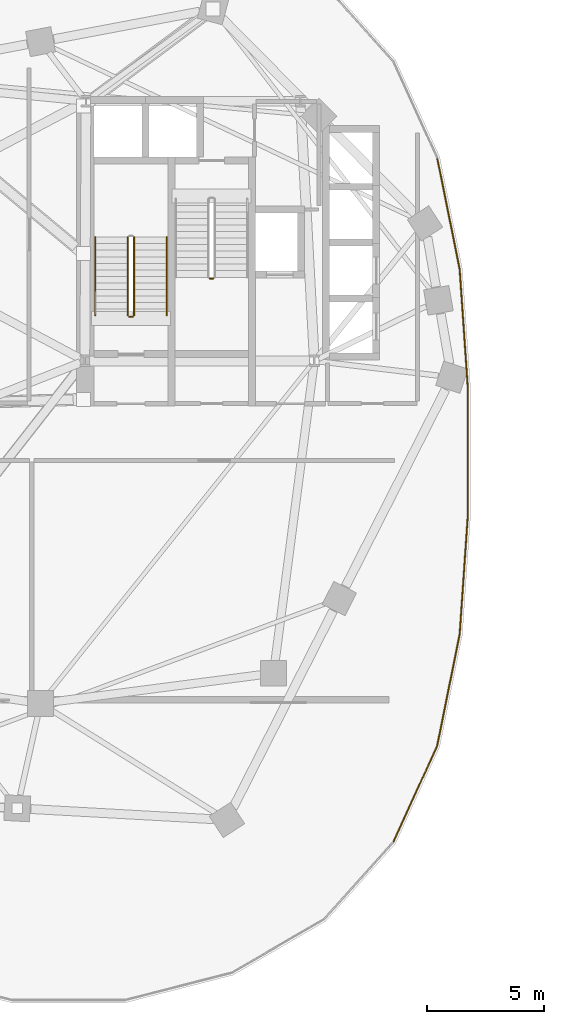
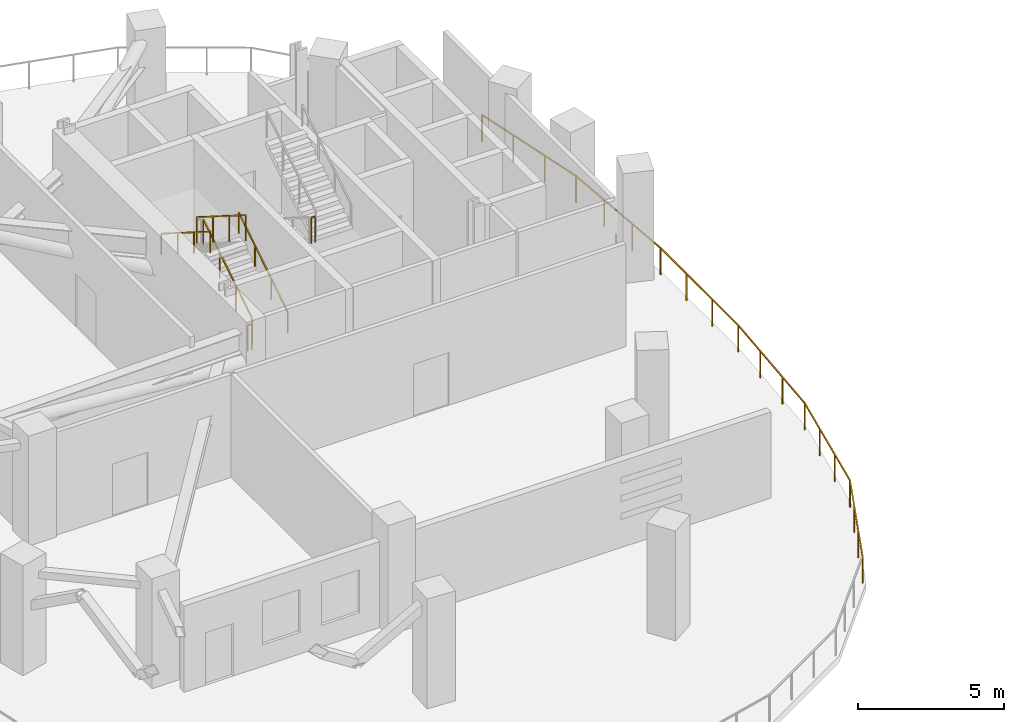
# One storey, part 9 of 13: 9 railings.
"""IFC4 building model written with IfcOpenShell, lengths in metres."""

from ifc_helpers import new_model, si_unit, direction, frame, origin, origin_2d, place, context, subcontext, project, spatial, rectangle, extrude, material, type_object, element, save


model = new_model("IFC4")

# Units and contexts
model_context = context("Model", 3, precision=1e-05, world=origin(), true_north=direction((0.0, 1.0)))
body_context = subcontext(model_context, "Body", "Model", "MODEL_VIEW")
ifc_project = project(units=[si_unit("LENGTHUNIT", "METRE"), si_unit("AREAUNIT", "SQUARE_METRE"), si_unit("VOLUMEUNIT", "CUBIC_METRE"), si_unit("PLANEANGLEUNIT", "RADIAN"), si_unit("MASSUNIT", "GRAM", prefix="KILO"), si_unit("THERMODYNAMICTEMPERATUREUNIT", "KELVIN"), si_unit("POWERUNIT", "WATT")], contexts=[model_context])

# Site, building, storey
site_placement = place(None, origin())
site = spatial("IfcSite", under=ifc_project, at=site_placement, CompositionType="ELEMENT")
building_placement = place(site_placement, origin())
building = spatial("IfcBuilding", under=site, at=building_placement, Name="Cundina Bronze Exchange", CompositionType="ELEMENT")
storey_placement = place(building_placement, frame((0.0, 0.0, 77.199951171875)))
storey = spatial("IfcBuildingStorey", under=building, at=storey_placement, Name="L19", CompositionType="ELEMENT", Elevation=77.199951171875)

# Railings
ifc_material_1 = material(Name="Anodised Bronze Aluminium 6063-T6", Category="aluminium")
railing_type_1 = type_object("IfcRailingType", Name="RLG-GRD-1150", PredefinedType="GUARDRAIL", material=ifc_material_1)
railing_1_placement = place(storey_placement, frame((-14.85791015625, 2.660888671875, 0.0)))
element("IfcRailing", 1, at=railing_1_placement, inside=storey, type_object=railing_type_1, Name="L19 Perimeter Safety Guardrail 01", PredefinedType="GUARDRAIL", context=body_context, shape_type="SweptSolid", body=[
    extrude(rectangle(XDim=0.048095703125, YDim=0.048095703125, at=origin_2d()), frame((0.0, 0.0, 1.1259765625), z_axis=(0.0, -1.0, 0.0), x_axis=(1.0, 0.0, 0.0)), (0.0, 0.0, 1.0), 5.32177734375),
    extrude(rectangle(XDim=0.048095703125, YDim=0.048095703125, at=origin_2d()), frame((0.0, -5.32177734375, 1.1259765625), z_axis=(-0.068548934488, -0.997647755263, 0.0), x_axis=(0.997647755263, -0.068548934488, 0.0)), (0.0, 0.0, 1.0), 5.1962890625),
    extrude(rectangle(XDim=0.0419921875, YDim=0.0419921875, at=origin_2d()), origin(), (0.0, 0.0, 1.0), 1.101806640625),
    extrude(rectangle(XDim=0.0419921875, YDim=0.0419921875, at=origin_2d()), frame((0.0, -1.77392578125, 0.0)), (0.0, 0.0, 1.0), 1.101806640625),
    extrude(rectangle(XDim=0.0419921875, YDim=0.0419921875, at=origin_2d()), frame((0.0, -3.5478515625, 0.0)), (0.0, 0.0, 1.0), 1.101806640625),
    extrude(rectangle(XDim=0.0419921875, YDim=0.0419921875, at=origin_2d()), frame((0.0, -5.32177734375, 0.0)), (0.0, 0.0, 1.0), 1.101806640625),
    extrude(rectangle(XDim=0.0419921875, YDim=0.0419921875, at=origin_2d()), frame((-0.11865234375, -7.0498046875, 0.0)), (0.0, 0.0, 1.0), 1.101806640625),
    extrude(rectangle(XDim=0.0419921875, YDim=0.0419921875, at=origin_2d()), frame((-0.237548828125, -8.77783203125, 0.0)), (0.0, 0.0, 1.0), 1.101806640625),
    extrude(rectangle(XDim=0.0419921875, YDim=0.0419921875, at=origin_2d()), frame((-0.356201171875, -10.505859375, 0.0)), (0.0, 0.0, 1.0), 1.101806640625),
])
railing_2_placement = place(storey_placement, frame((-15.214111328125, -7.844970703125, 0.0)))
element("IfcRailing", 2, at=railing_2_placement, inside=storey, type_object=railing_type_1, Name="L19 Perimeter Safety Guardrail 02", PredefinedType="GUARDRAIL", context=body_context, shape_type="SweptSolid", body=[
    extrude(rectangle(XDim=0.048095703125, YDim=0.048095703125, at=origin_2d()), frame((0.0, 0.0, 1.1259765625), z_axis=(-0.198060616224, -0.980189773616, 0.0), x_axis=(0.980189773616, -0.198060616224, 0.0)), (0.0, 0.0, 1.0), 4.87646484375),
    extrude(rectangle(XDim=0.048095703125, YDim=0.048095703125, at=origin_2d()), frame((-0.9658203125, -4.77978515625, 1.1259765625), z_axis=(-0.415419797692, -0.909629810244, 0.0), x_axis=(0.909629810244, -0.415419797692, 0.0)), (0.0, 0.0, 1.0), 4.548828125),
    extrude(rectangle(XDim=0.0419921875, YDim=0.0419921875, at=origin_2d()), origin(), (0.0, 0.0, 1.0), 1.101806640625),
    extrude(rectangle(XDim=0.0419921875, YDim=0.0419921875, at=origin_2d()), frame((-0.322021484375, -1.59326171875, 0.0)), (0.0, 0.0, 1.0), 1.101806640625),
    extrude(rectangle(XDim=0.0419921875, YDim=0.0419921875, at=origin_2d()), frame((-0.643798828125, -3.1865234375, 0.0)), (0.0, 0.0, 1.0), 1.101806640625),
    extrude(rectangle(XDim=0.0419921875, YDim=0.0419921875, at=origin_2d()), frame((-0.9658203125, -4.77978515625, 0.0)), (0.0, 0.0, 1.0), 1.101806640625),
    extrude(rectangle(XDim=0.0419921875, YDim=0.0419921875, at=origin_2d()), frame((-1.595703125, -6.158935546875, 0.0)), (0.0, 0.0, 1.0), 1.101806640625),
    extrude(rectangle(XDim=0.0419921875, YDim=0.0419921875, at=origin_2d()), frame((-2.2255859375, -7.538330078125, 0.0)), (0.0, 0.0, 1.0), 1.101806640625),
    extrude(rectangle(XDim=0.0419921875, YDim=0.0419921875, at=origin_2d()), frame((-2.85546875, -8.91748046875, 0.0)), (0.0, 0.0, 1.0), 1.101806640625),
])
railing_3_placement = place(storey_placement, frame((-16.179931640625, 12.624755859375, 0.0)))
element("IfcRailing", 3, at=railing_3_placement, inside=storey, type_object=railing_type_1, Name="L19 Perimeter Safety Guardrail 14", PredefinedType="GUARDRAIL", context=body_context, shape_type="SweptSolid", body=[
    extrude(rectangle(XDim=0.048095703125, YDim=0.048095703125, at=origin_2d()), frame((0.0, 0.0, 1.1259765625), z_axis=(0.198060616224, -0.980189773616, 0.0), x_axis=(0.980189773616, 0.198060616224, 0.0)), (0.0, 0.0, 1.0), 4.87646484375),
    extrude(rectangle(XDim=0.048095703125, YDim=0.048095703125, at=origin_2d()), frame((0.9658203125, -4.77978515625, 1.1259765625), z_axis=(0.068548934488, -0.997647755263, 0.0), x_axis=(0.997647755263, 0.068548934488, 0.0)), (0.0, 0.0, 1.0), 5.1962890625),
    extrude(rectangle(XDim=0.0419921875, YDim=0.0419921875, at=origin_2d()), origin(), (0.0, 0.0, 1.0), 1.101806640625),
    extrude(rectangle(XDim=0.0419921875, YDim=0.0419921875, at=origin_2d()), frame((0.322021484375, -1.59326171875, 0.0)), (0.0, 0.0, 1.0), 1.101806640625),
    extrude(rectangle(XDim=0.0419921875, YDim=0.0419921875, at=origin_2d()), frame((0.643798828125, -3.1865234375, 0.0)), (0.0, 0.0, 1.0), 1.101806640625),
    extrude(rectangle(XDim=0.0419921875, YDim=0.0419921875, at=origin_2d()), frame((0.9658203125, -4.77978515625, 0.0)), (0.0, 0.0, 1.0), 1.101806640625),
    extrude(rectangle(XDim=0.0419921875, YDim=0.0419921875, at=origin_2d()), frame((1.08447265625, -6.5078125, 0.0)), (0.0, 0.0, 1.0), 1.101806640625),
    extrude(rectangle(XDim=0.0419921875, YDim=0.0419921875, at=origin_2d()), frame((1.203369140625, -8.23583984375, 0.0)), (0.0, 0.0, 1.0), 1.101806640625),
    extrude(rectangle(XDim=0.0419921875, YDim=0.0419921875, at=origin_2d()), frame((1.322021484375, -9.9638671875, 0.0)), (0.0, 0.0, 1.0), 1.101806640625),
])
ifc_material_2 = material(Name="Steel ASTM A36 Painted", Category="steel")
railing_type_2 = type_object("IfcRailingType", Name="RLG-HND-900", PredefinedType="HANDRAIL", material=ifc_material_2)
railing_4_placement = place(storey_placement, frame((-27.7900390625, 5.85009765625, 0.177001953125)))
element("IfcRailing", 4, at=railing_4_placement, inside=storey, type_object=railing_type_2, Name="L19 ST-W1 stair handrail 1", PredefinedType="HANDRAIL", context=body_context, shape_type="SweptSolid", body=[
    extrude(rectangle(XDim=0.048095703125, YDim=0.048095703125, at=origin_2d()), frame((0.0, 0.0, 0.8759765625), z_axis=(0.0, 0.845372108799, 0.534177870812), x_axis=(-1.0, 0.0, 0.0)), (0.0, 0.0, 1.0), 3.974365234375),
    extrude(rectangle(XDim=0.0419921875, YDim=0.0419921875, at=origin_2d()), origin(), (0.0, 0.0, 1.0), 0.851806640625),
    extrude(rectangle(XDim=0.0419921875, YDim=0.0419921875, at=origin_2d()), frame((0.0, 1.119873046875, 0.707763671875)), (0.0, 0.0, 1.0), 0.851806640625),
    extrude(rectangle(XDim=0.0419921875, YDim=0.0419921875, at=origin_2d()), frame((0.0, 2.239990234375, 1.415283203125)), (0.0, 0.0, 1.0), 0.851806640625),
    extrude(rectangle(XDim=0.0419921875, YDim=0.0419921875, at=origin_2d()), frame((0.0, 3.35986328125, 2.123046875)), (0.0, 0.0, 1.0), 0.851806640625),
])
railing_5_placement = place(storey_placement, frame((-30.85009765625, 9.2099609375, 2.47705078125)))
element("IfcRailing", 5, at=railing_5_placement, inside=storey, type_object=railing_type_2, Name="L19 ST-W1 stair handrail 2", PredefinedType="HANDRAIL", context=body_context, shape_type="SweptSolid", body=[
    extrude(rectangle(XDim=0.048095703125, YDim=0.048095703125, at=origin_2d()), frame((0.0, 0.0, 0.8759765625), z_axis=(0.0, -0.845372108799, 0.534177870812), x_axis=(1.0, 0.0, 0.0)), (0.0, 0.0, 1.0), 3.974365234375),
    extrude(rectangle(XDim=0.0419921875, YDim=0.0419921875, at=origin_2d()), origin(), (0.0, 0.0, 1.0), 0.851806640625),
    extrude(rectangle(XDim=0.0419921875, YDim=0.0419921875, at=origin_2d()), frame((0.0, -1.119873046875, 0.707763671875)), (0.0, 0.0, 1.0), 0.851806640625),
    extrude(rectangle(XDim=0.0419921875, YDim=0.0419921875, at=origin_2d()), frame((0.0, -2.239990234375, 1.415283203125)), (0.0, 0.0, 1.0), 0.851806640625),
    extrude(rectangle(XDim=0.0419921875, YDim=0.0419921875, at=origin_2d()), frame((0.0, -3.35986328125, 2.123046875)), (0.0, 0.0, 1.0), 0.851806640625),
])
railing_type_3 = type_object("IfcRailingType", Name="RLG-STG-1100", PredefinedType="GUARDRAIL", material=ifc_material_2)
railing_6_placement = place(storey_placement, frame((-29.18994140625, 5.85009765625, 0.177001953125)))
element("IfcRailing", 6, at=railing_6_placement, inside=storey, type_object=railing_type_3, Name="L19 ST-W1 stair guard 1", PredefinedType="GUARDRAIL", context=body_context, shape_type="SweptSolid", body=[
    extrude(rectangle(XDim=0.048095703125, YDim=0.048095703125, at=origin_2d()), frame((0.0, 0.0, 1.076171875), z_axis=(0.0, 0.845372108799, 0.534177870812), x_axis=(-1.0, 0.0, 0.0)), (0.0, 0.0, 1.0), 3.974365234375),
    extrude(rectangle(XDim=0.0419921875, YDim=0.0419921875, at=origin_2d()), origin(), (0.0, 0.0, 1.0), 1.052001953125),
    extrude(rectangle(XDim=0.0419921875, YDim=0.0419921875, at=origin_2d()), frame((0.0, 1.119873046875, 0.707763671875)), (0.0, 0.0, 1.0), 1.052001953125),
    extrude(rectangle(XDim=0.0419921875, YDim=0.0419921875, at=origin_2d()), frame((0.0, 2.239990234375, 1.415283203125)), (0.0, 0.0, 1.0), 1.052001953125),
    extrude(rectangle(XDim=0.0419921875, YDim=0.0419921875, at=origin_2d()), frame((0.0, 3.35986328125, 2.123046875)), (0.0, 0.0, 1.0), 1.052001953125),
])
railing_7_placement = place(storey_placement, frame((-29.449951171875, 9.2099609375, 2.47705078125)))
element("IfcRailing", 7, at=railing_7_placement, inside=storey, type_object=railing_type_3, Name="L19 ST-W1 stair guard 3", PredefinedType="GUARDRAIL", context=body_context, shape_type="SweptSolid", body=[
    extrude(rectangle(XDim=0.048095703125, YDim=0.048095703125, at=origin_2d()), frame((0.0, 0.0, 1.076171875), z_axis=(0.0, -0.845372108799, 0.534177870812), x_axis=(1.0, 0.0, 0.0)), (0.0, 0.0, 1.0), 3.974365234375),
    extrude(rectangle(XDim=0.0419921875, YDim=0.0419921875, at=origin_2d()), origin(), (0.0, 0.0, 1.0), 1.052001953125),
    extrude(rectangle(XDim=0.0419921875, YDim=0.0419921875, at=origin_2d()), frame((0.0, -1.119873046875, 0.707763671875)), (0.0, 0.0, 1.0), 1.052001953125),
    extrude(rectangle(XDim=0.0419921875, YDim=0.0419921875, at=origin_2d()), frame((0.0, -2.239990234375, 1.415283203125)), (0.0, 0.0, 1.0), 1.052001953125),
    extrude(rectangle(XDim=0.0419921875, YDim=0.0419921875, at=origin_2d()), frame((0.0, -3.35986328125, 2.123046875)), (0.0, 0.0, 1.0), 1.052001953125),
])
railing_8_placement = place(storey_placement, frame((-29.239990234375, 5.800048828125, 0.0)))
element("IfcRailing", 8, at=railing_8_placement, inside=storey, type_object=railing_type_3, Name="L19 ST-W1 stair guard 4", PredefinedType="GUARDRAIL", context=body_context, shape_type="SweptSolid", body=[
    extrude(rectangle(XDim=0.048095703125, YDim=0.048095703125, at=origin_2d()), frame((0.0, 0.0, 1.076171875), z_axis=(-1.0, 0.0, 0.0), x_axis=(0.0, -1.0, 0.0)), (0.0, 0.0, 1.0), 0.159912109375),
    extrude(rectangle(XDim=0.0419921875, YDim=0.0419921875, at=origin_2d()), origin(), (0.0, 0.0, 1.0), 1.052001953125),
    extrude(rectangle(XDim=0.0419921875, YDim=0.0419921875, at=origin_2d()), frame((-0.159912109375, 0.0, 0.0)), (0.0, 0.0, 1.0), 1.052001953125),
])
railing_9_placement = place(storey_placement, frame((-25.93994140625, 7.43994140625, 2.300048828125)))
element("IfcRailing", 9, at=railing_9_placement, inside=storey, type_object=railing_type_3, Name="L19 ST-W2 stair guard 2", PredefinedType="GUARDRAIL", context=body_context, shape_type="SweptSolid", body=[
    extrude(rectangle(XDim=0.048095703125, YDim=0.048095703125, at=origin_2d()), frame((0.0, 0.0, 1.076171875), z_axis=(1.0, 0.0, 0.0), x_axis=(0.0, 1.0, 0.0)), (0.0, 0.0, 1.0), 0.159912109375),
    extrude(rectangle(XDim=0.0419921875, YDim=0.0419921875, at=origin_2d()), origin(), (0.0, 0.0, 1.0), 1.052001953125),
    extrude(rectangle(XDim=0.0419921875, YDim=0.0419921875, at=origin_2d()), frame((0.159912109375, 0.0, 0.0)), (0.0, 0.0, 1.0), 1.052001953125),
])

save(model, "model.ifc")
